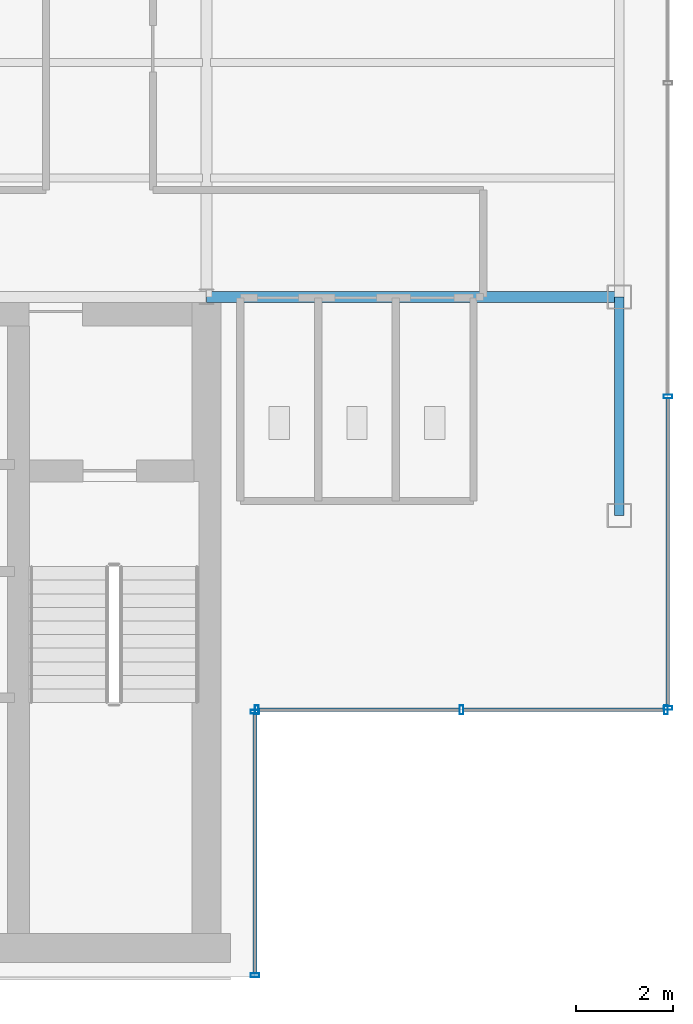
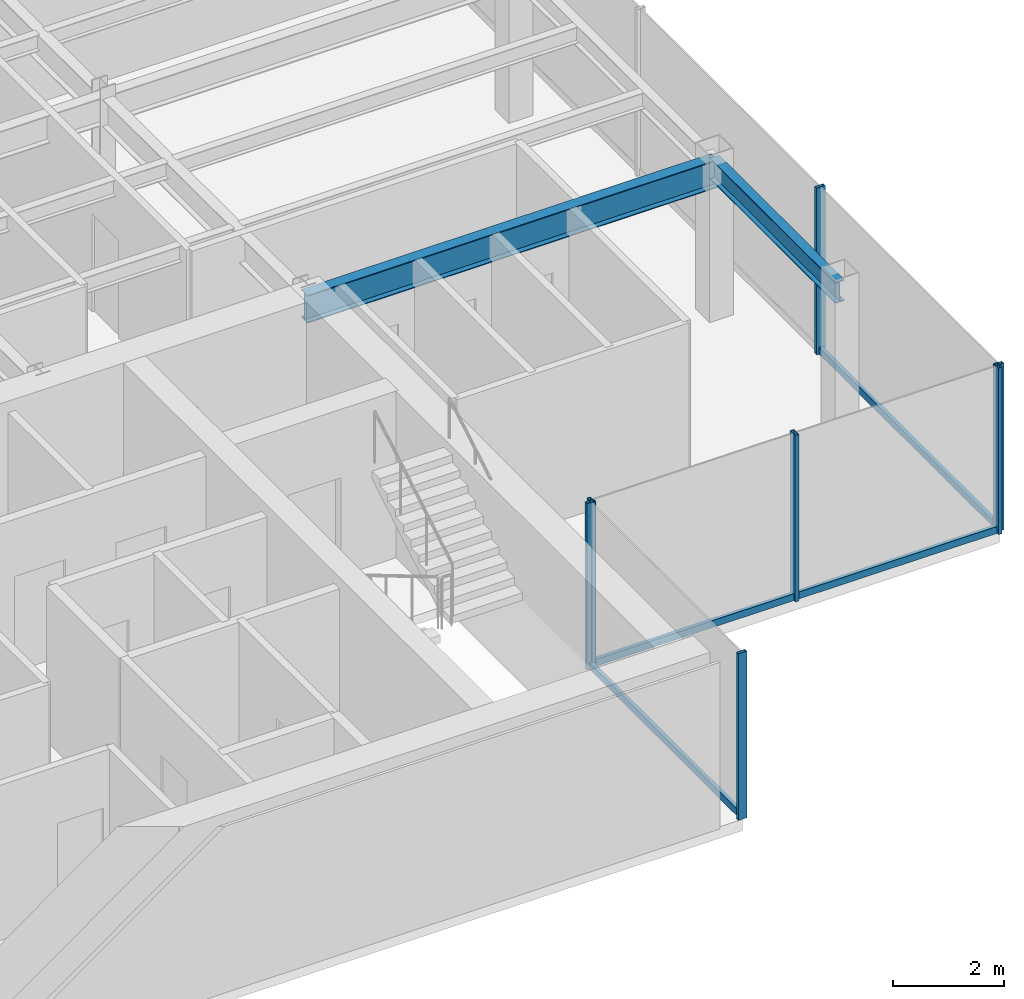
# One storey, part 9 of 22: 11 members, 2 beams, 3 elements without a shape of their own.
"""IFC4 building model written with IfcOpenShell, lengths in metres."""

from ifc_helpers import new_model, si_unit, derived_unit, direction, frame, origin, origin_2d, place, context, subcontext, project, spatial, hollow_rectangle, i_section, extrude, source, transform, mapped, material, material_profile, profile_set, type_object, element, aggregate, save


model = new_model("IFC4")

# Units and contexts
model_context = context("Model", 3, precision=1e-05, world=origin(), true_north=direction((0.0, 1.0)))
body_context = subcontext(model_context, "Body", "Model", "MODEL_VIEW")
ifc_project = project(units=[si_unit("LENGTHUNIT", "METRE"), si_unit("AREAUNIT", "SQUARE_METRE"), si_unit("VOLUMEUNIT", "CUBIC_METRE"), si_unit("PLANEANGLEUNIT", "RADIAN"), si_unit("MASSUNIT", "GRAM", prefix="KILO"), derived_unit("THERMALTRANSMITTANCEUNIT", [(si_unit("POWERUNIT", "WATT"), 1), (si_unit("LENGTHUNIT", "METRE"), -2), (si_unit("THERMODYNAMICTEMPERATUREUNIT", "KELVIN"), -1)])], contexts=[model_context])

# Site, building, storey
site_placement = place(None, origin())
site = spatial("IfcSite", under=ifc_project, at=site_placement, CompositionType="ELEMENT")
building_placement = place(site_placement, origin())
building = spatial("IfcBuilding", under=site, at=building_placement, Name="Skarnbrae Concourse Arena and Tower", CompositionType="ELEMENT")
storey_placement = place(building_placement, frame((0.0, 0.0, 221.449951171875)))
storey = spatial("IfcBuildingStorey", under=building, at=storey_placement, Name="L57", CompositionType="ELEMENT", Elevation=221.449951171875)

# Beams
ifc_material_1 = material(Name="Steel CSA G40.21 350W", Category="steel")
ifc_material_profile_1 = material_profile(ifc_material_1, i_section(OverallWidth=0.22802734375, OverallDepth=0.60791015625, WebThickness=0.01123046875, FlangeThickness=0.017333984375, at=origin_2d()), Name="W610X113")
ifc_profile_set_1 = profile_set([ifc_material_profile_1], Name="Steel CSA G40.21 350W")
beam_type_1 = type_object("IfcBeamType", Name="BM-GIRD-W610X113", PredefinedType="BEAM", material=ifc_profile_set_1)
shared_shape_1 = source(origin(), body_context, "Body", "SweptSolid", [
    extrude(i_section(OverallWidth=0.22802734375, OverallDepth=0.60791015625, WebThickness=0.01123046875, FlangeThickness=0.017333984375, at=origin_2d()), origin(), (0.0, 0.0, 1.0), 8.5),
])
beam_1_placement = place(storey_placement, frame((33.5, 14.0, 3.095947265625), z_axis=(1.0, 0.0, 0.0), x_axis=(0.0, 1.0, 0.0)))
element("IfcBeam", 1, at=beam_1_placement, inside=storey, type_object=beam_type_1, Name="L57 Primary E-W girder Y14.0-6", PredefinedType="BEAM", context=body_context, shape_type="MappedRepresentation", body=[
    mapped(shared_shape_1, transform((0.0, 0.0, 0.0))),
])
ifc_material_profile_2 = material_profile(ifc_material_1, i_section(OverallWidth=0.19091796875, OverallDepth=0.4599609375, WebThickness=0.010009765625, FlangeThickness=0.01611328125, at=origin_2d()), Name="W460X82")
ifc_profile_set_2 = profile_set([ifc_material_profile_2], Name="Steel CSA G40.21 350W")
beam_type_2 = type_object("IfcBeamType", Name="BM-SPAN-W460X82", PredefinedType="SPANDREL", material=ifc_profile_set_2)
shared_shape_2 = source(origin(), body_context, "Body", "SweptSolid", [
    extrude(i_section(OverallWidth=0.19091796875, OverallDepth=0.4599609375, WebThickness=0.010009765625, FlangeThickness=0.01611328125, at=origin_2d()), origin(), (0.0, 0.0, 1.0), 4.5),
])
beam_2_placement = place(storey_placement, frame((42.0, 9.5, 3.170166015625), z_axis=(0.0, 1.0, 0.0), x_axis=(-1.0, 0.0, 0.0)))
element("IfcBeam", 2, at=beam_2_placement, inside=storey, type_object=beam_type_2, Name="L57 Perimeter spandrel X42.0-1", PredefinedType="SPANDREL", context=body_context, shape_type="MappedRepresentation", body=[
    mapped(shared_shape_2, transform((0.0, 0.0, 0.0))),
])

# Curtain wall, member
ifc_material_2 = material(Name="Bronze anodised aluminium 6063-T6", Category="aluminium")
curtain_wall_type = type_object("IfcCurtainWallType", Name="CW-SYS-05-HIGHZONE", PredefinedType="USERDEFINED", material=ifc_material_2)
curtain_wall_1_placement = place(storey_placement, origin())
curtain_wall_1 = element("IfcCurtainWall", 3, at=curtain_wall_1_placement, inside=storey, type_object=curtain_wall_type, Name="L57 Unitised curtain wall CW-L57-E02", ObjectType="UNITISED CURTAIN WALL", PredefinedType="USERDEFINED")
ifc_material_profile_3 = material_profile(ifc_material_2, hollow_rectangle(XDim=0.074951171875, YDim=0.14990234375, WallThickness=0.00390625, at=origin_2d()), Name="ALU-TRAN-75X150")
ifc_profile_set_3 = profile_set([ifc_material_profile_3], Name="Bronze anodised aluminium 6063-T6")
member_type_1 = type_object("IfcMemberType", Name="CWT-CW-05", PredefinedType="USERDEFINED", material=ifc_profile_set_3)
shared_shape_3 = source(origin(), body_context, "Body", "SweptSolid", [
    extrude(hollow_rectangle(XDim=0.074951171875, YDim=0.14990234375, WallThickness=0.00390625, at=origin_2d()), origin(), (0.0, 0.0, 1.0), 5.35009765625),
])
member_1_placement = place(storey_placement, frame((34.5, 0.074951171875, 0.074951171875), z_axis=(0.0, 1.0, 0.0), x_axis=(-1.0, 0.0, 0.0)))
member_1 = element("IfcMember", 4, at=member_1_placement, type_object=member_type_1, Name="CW-L57-E02 Transom 1", ObjectType="TRANSOM", PredefinedType="USERDEFINED", context=body_context, shape_type="MappedRepresentation", body=[
    mapped(shared_shape_3, transform((0.0, 0.0, 0.0))),
])

# Curtain wall, members
curtain_wall_2_placement = place(storey_placement, origin())
curtain_wall_2 = element("IfcCurtainWall", 5, at=curtain_wall_2_placement, inside=storey, type_object=curtain_wall_type, Name="L57 Unitised curtain wall CW-L57-E03", ObjectType="UNITISED CURTAIN WALL", PredefinedType="USERDEFINED")
shared_shape_4 = source(origin(), body_context, "Body", "SweptSolid", [
    extrude(hollow_rectangle(XDim=0.074951171875, YDim=0.14990234375, WallThickness=0.00390625, at=origin_2d()), origin(), (0.0, 0.0, 1.0), 4.137451171875),
])
member_2_placement = place(storey_placement, frame((34.574951171875, 5.5, 0.074951171875), z_axis=(1.0, 0.0, 0.0), x_axis=(0.0, 1.0, 0.0)))
member_2 = element("IfcMember", 6, at=member_2_placement, type_object=member_type_1, Name="CW-L57-E03 Transom 1", ObjectType="TRANSOM", PredefinedType="USERDEFINED", context=body_context, shape_type="MappedRepresentation", body=[
    mapped(shared_shape_4, transform((0.0, 0.0, 0.0))),
])
member_3_placement = place(storey_placement, frame((38.78759765625, 5.5, 0.074951171875), z_axis=(1.0, 0.0, 0.0), x_axis=(0.0, 1.0, 0.0)))
member_3 = element("IfcMember", 7, at=member_3_placement, type_object=member_type_1, Name="CW-L57-E03 Transom 2", ObjectType="TRANSOM", PredefinedType="USERDEFINED", context=body_context, shape_type="MappedRepresentation", body=[
    mapped(shared_shape_4, transform((0.0, 0.0, 0.0))),
])

# Curtain wall, member
curtain_wall_3_placement = place(storey_placement, origin())
curtain_wall_3 = element("IfcCurtainWall", 8, at=curtain_wall_3_placement, inside=storey, type_object=curtain_wall_type, Name="L57 Unitised curtain wall CW-L57-E04", ObjectType="UNITISED CURTAIN WALL", PredefinedType="USERDEFINED")
shared_shape_5 = source(origin(), body_context, "Body", "SweptSolid", [
    extrude(hollow_rectangle(XDim=0.074951171875, YDim=0.14990234375, WallThickness=0.00390625, at=origin_2d()), origin(), (0.0, 0.0, 1.0), 6.337646484375),
])
member_4_placement = place(storey_placement, frame((43.0, 5.574951171875, 0.074951171875), z_axis=(0.0, 1.0, 0.0), x_axis=(-1.0, 0.0, 0.0)))
member_4 = element("IfcMember", 9, at=member_4_placement, type_object=member_type_1, Name="CW-L57-E04 Transom 1", ObjectType="TRANSOM", PredefinedType="USERDEFINED", context=body_context, shape_type="MappedRepresentation", body=[
    mapped(shared_shape_5, transform((0.0, 0.0, 0.0))),
])

# Member
ifc_material_profile_4 = material_profile(ifc_material_2, hollow_rectangle(XDim=0.074951171875, YDim=0.179931640625, WallThickness=0.00390625, at=origin_2d()), Name="ALU-MULL-75X180")
ifc_profile_set_4 = profile_set([ifc_material_profile_4], Name="Bronze anodised aluminium 6063-T6")
member_type_2 = type_object("IfcMemberType", Name="CWM-CW-05", PredefinedType="MULLION", material=ifc_profile_set_4)
shared_shape_6 = source(origin(), body_context, "Body", "SweptSolid", [
    extrude(hollow_rectangle(XDim=0.074951171875, YDim=0.179931640625, WallThickness=0.00390625, at=origin_2d()), origin(), (0.0, 0.0, 1.0), 3.650146484375),
])
member_5_placement = place(storey_placement, frame((34.5, 0.03759765625, 0.0), z_axis=(0.0, 0.0, 1.0), x_axis=(0.0, 1.0, 0.0)))
member_5 = element("IfcMember", 10, at=member_5_placement, type_object=member_type_2, Name="CW-L57-E02 Mullion 1", PredefinedType="MULLION", context=body_context, shape_type="MappedRepresentation", body=[
    mapped(shared_shape_6, transform((0.0, 0.0, 0.0))),
])

member_6_placement = place(storey_placement, frame((34.5, 5.46240234375, 0.0), z_axis=(0.0, 0.0, 1.0), x_axis=(0.0, 1.0, 0.0)))
member_6 = element("IfcMember", 11, at=member_6_placement, type_object=member_type_2, Name="CW-L57-E02 Mullion 2", PredefinedType="MULLION", context=body_context, shape_type="MappedRepresentation", body=[
    mapped(shared_shape_6, transform((0.0, 0.0, 0.0))),
])

aggregate(curtain_wall_1, [member_5, member_6, member_1])

member_7_placement = place(storey_placement, frame((34.53759765625, 5.5, 0.0), z_axis=(0.0, 0.0, 1.0), x_axis=(1.0, 0.0, 0.0)))
member_7 = element("IfcMember", 12, at=member_7_placement, type_object=member_type_2, Name="CW-L57-E03 Mullion 1", PredefinedType="MULLION", context=body_context, shape_type="MappedRepresentation", body=[
    mapped(shared_shape_6, transform((0.0, 0.0, 0.0))),
])

member_8_placement = place(storey_placement, frame((38.75, 5.5, 0.0), z_axis=(0.0, 0.0, 1.0), x_axis=(1.0, 0.0, 0.0)))
member_8 = element("IfcMember", 13, at=member_8_placement, type_object=member_type_2, Name="CW-L57-E03 Mullion 2", PredefinedType="MULLION", context=body_context, shape_type="MappedRepresentation", body=[
    mapped(shared_shape_6, transform((0.0, 0.0, 0.0))),
])

member_9_placement = place(storey_placement, frame((42.96240234375, 5.5, 0.0), z_axis=(0.0, 0.0, 1.0), x_axis=(1.0, 0.0, 0.0)))
member_9 = element("IfcMember", 14, at=member_9_placement, type_object=member_type_2, Name="CW-L57-E03 Mullion 3", PredefinedType="MULLION", context=body_context, shape_type="MappedRepresentation", body=[
    mapped(shared_shape_6, transform((0.0, 0.0, 0.0))),
])

aggregate(curtain_wall_2, [member_7, member_8, member_9, member_2, member_3])

member_10_placement = place(storey_placement, frame((43.0, 5.53759765625, 0.0), z_axis=(0.0, 0.0, 1.0), x_axis=(0.0, 1.0, 0.0)))
member_10 = element("IfcMember", 15, at=member_10_placement, type_object=member_type_2, Name="CW-L57-E04 Mullion 1", PredefinedType="MULLION", context=body_context, shape_type="MappedRepresentation", body=[
    mapped(shared_shape_6, transform((0.0, 0.0, 0.0))),
])

member_11_placement = place(storey_placement, frame((43.0, 11.949951171875, 0.0), z_axis=(0.0, 0.0, 1.0), x_axis=(0.0, 1.0, 0.0)))
member_11 = element("IfcMember", 16, at=member_11_placement, type_object=member_type_2, Name="CW-L57-E04 Mullion 2", PredefinedType="MULLION", context=body_context, shape_type="MappedRepresentation", body=[
    mapped(shared_shape_6, transform((0.0, 0.0, 0.0))),
])

aggregate(curtain_wall_3, [member_10, member_11, member_4])

save(model, "model.ifc")
